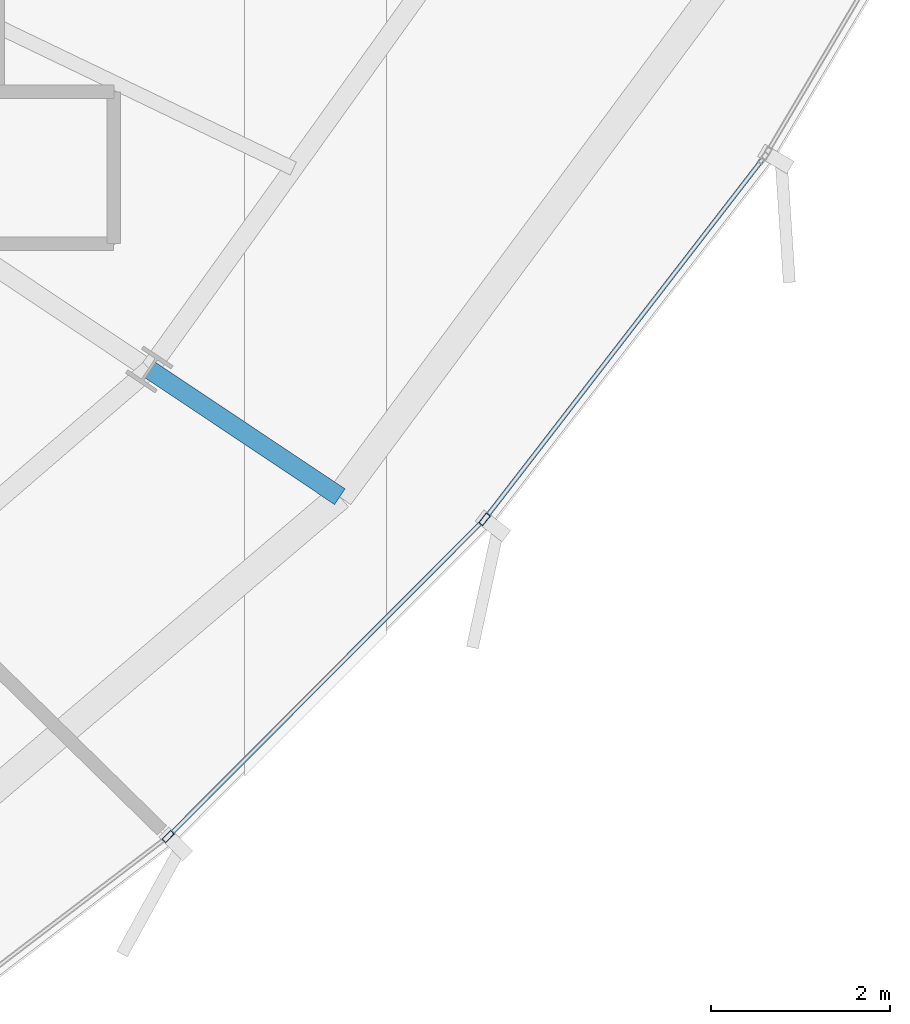
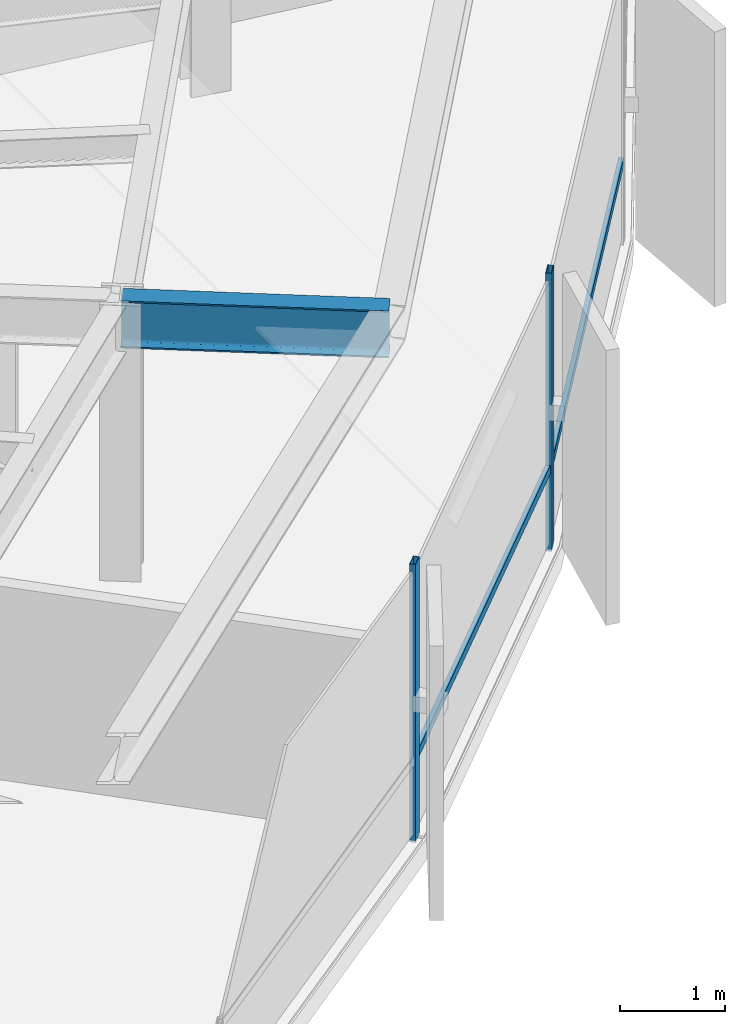
# One storey, part 15 of 35: 4 members, 1 beam, 1 element without a shape of its own.
"""IFC4 building model written with IfcOpenShell, lengths in metres."""

from ifc_helpers import new_model, si_unit, direction, frame, origin, origin_2d, place, context, subcontext, project, spatial, hollow_rectangle, i_section, extrude, source, transform, mapped, material, layer, layer_set, material_profile, profile_set, type_object, element, aggregate, save


model = new_model("IFC4")

# Units and contexts
model_context = context("Model", 3, precision=1e-05, world=origin(), true_north=direction((0.0, 1.0)))
body_context = subcontext(model_context, "Body", "Model", "MODEL_VIEW")
ifc_project = project(units=[si_unit("LENGTHUNIT", "METRE"), si_unit("AREAUNIT", "SQUARE_METRE"), si_unit("VOLUMEUNIT", "CUBIC_METRE"), si_unit("PLANEANGLEUNIT", "RADIAN"), si_unit("MASSUNIT", "GRAM", prefix="KILO"), si_unit("THERMODYNAMICTEMPERATUREUNIT", "KELVIN")], contexts=[model_context])

# Site, building, storey
site_placement = place(None, origin())
site = spatial("IfcSite", under=ifc_project, at=site_placement, CompositionType="ELEMENT")
building_placement = place(site_placement, origin())
building = spatial("IfcBuilding", under=site, at=building_placement, Name="Kethvar Cultural Tower", CompositionType="ELEMENT")
storey_placement = place(building_placement, frame((0.0, 0.0, 167.85009765625)))
storey = spatial("IfcBuildingStorey", under=building, at=storey_placement, Name="L43", CompositionType="ELEMENT", Elevation=167.85009765625)

# Beam
ifc_material_1 = material(Name="Steel S355J2", Category="steel")
ifc_material_profile_1 = material_profile(ifc_material_1, i_section(OverallWidth=0.2099609375, OverallDepth=0.550048828125, WebThickness=0.010986328125, FlangeThickness=0.01708984375, FilletRadius=0.02392578125, at=origin_2d()), Name="Steel S355J2 — IPE550")
ifc_profile_set_1 = profile_set([ifc_material_profile_1], Name="Steel S355J2 — IPE550")
beam_type = type_object("IfcBeamType", Name="BM-IPE550", PredefinedType="BEAM", material=ifc_profile_set_1)
shared_shape_1 = source(origin(), body_context, "Body", "SweptSolid", [
    extrude(i_section(OverallWidth=0.2099609375, OverallDepth=0.550048828125, WebThickness=0.010986328125, FlangeThickness=0.01708984375, FilletRadius=0.02392578125, at=origin_2d()), origin(), (0.0, 0.0, 1.0), 2.564453125),
])
beam_placement = place(storey_placement, frame((62.898681640625, 17.043212890625, 2.962890625), z_axis=(0.831434604971, -0.55562262162, 0.0), x_axis=(0.55562262162, 0.831434604971, 0.0)))
element("IfcBeam", 1, at=beam_placement, inside=storey, type_object=beam_type, Name="L43 Perimeter Cantilever Beam RC-15", PredefinedType="BEAM", context=body_context, shape_type="MappedRepresentation", body=[
    mapped(shared_shape_1, transform((0.0, 0.0, 0.0), scale=1.0)),
])

# Curtain wall, members
ifc_material_2 = material(Name="Aluminium 6063-T6", Category="aluminium")
ifc_layer = layer(ifc_material_2, 0.179931640625, Name="Aluminium 6063-T6", Category="aluminium")
ifc_layer_set = layer_set([ifc_layer], Name="Aluminium 6063-T6 (180 mm)")
curtain_wall_type = type_object("IfcCurtainWallType", Name="CW-SYS-04-Z34", PredefinedType="NOTDEFINED", material=ifc_layer_set)
curtain_wall_placement = place(storey_placement, origin())
curtain_wall = element("IfcCurtainWall", 2, at=curtain_wall_placement, inside=storey, type_object=curtain_wall_type, Name="L43 Curtain Wall Run 05", PredefinedType="NOTDEFINED")
ifc_material_profile_2 = material_profile(ifc_material_2, hollow_rectangle(XDim=0.06005859375, YDim=0.139892578125, WallThickness=0.0048828125, at=origin_2d()), Name="Aluminium 6063-T6 — RHS140x60x5")
ifc_profile_set_2 = profile_set([ifc_material_profile_2], Name="Aluminium 6063-T6 — RHS140x60x5")
member_type_1 = type_object("IfcMemberType", Name="CW-SYS-04-Z34-MUL", PredefinedType="MULLION", material=ifc_profile_set_2)
shared_shape_2 = source(origin(), body_context, "Body", "SweptSolid", [
    extrude(hollow_rectangle(XDim=0.06005859375, YDim=0.139892578125, WallThickness=0.0048828125, at=origin_2d()), origin(), (0.0, 0.0, 1.0), 3.239990234375),
])
member_1_placement = place(storey_placement, frame((63.109375, 11.8154296875, 0.0), z_axis=(0.0, 0.0, 1.0), x_axis=(-0.708204307058, 0.706007549155, 0.0)))
member_1 = element("IfcMember", 3, at=member_1_placement, type_object=member_type_1, Name="CW-L43-R05 Mullion 5", PredefinedType="MULLION", context=body_context, shape_type="MappedRepresentation", body=[
    mapped(shared_shape_2, transform((0.0, 0.0, 0.0), scale=1.0)),
])
member_2_placement = place(storey_placement, frame((66.64990234375, 15.36572265625, 0.0), z_axis=(0.0, 0.0, 1.0), x_axis=(-0.791479619394, 0.611195559608, 0.0)))
member_2 = element("IfcMember", 4, at=member_2_placement, type_object=member_type_1, Name="CW-L43-R05 Mullion 6", PredefinedType="MULLION", context=body_context, shape_type="MappedRepresentation", body=[
    mapped(shared_shape_2, transform((0.0, 0.0, 0.0), scale=1.0)),
])
ifc_material_profile_3 = material_profile(ifc_material_2, hollow_rectangle(XDim=0.050048828125, YDim=0.10009765625, WallThickness=0.00390625, at=origin_2d()), Name="Aluminium 6063-T6 — RHS100x50x4")
ifc_profile_set_3 = profile_set([ifc_material_profile_3], Name="Aluminium 6063-T6 — RHS100x50x4")
member_type_2 = type_object("IfcMemberType", Name="CW-SYS-04-Z34-TRN", PredefinedType="USERDEFINED", material=ifc_profile_set_3)
shared_shape_3 = source(origin(), body_context, "Body", "SweptSolid", [
    extrude(hollow_rectangle(XDim=0.050048828125, YDim=0.10009765625, WallThickness=0.00390625, at=origin_2d()), origin(), (0.0, 0.0, 1.0), 5.05908203125),
])
member_3_placement = place(storey_placement, frame((66.676513671875, 15.39990234375, 0.949951171875), z_axis=(0.611190632636, 0.791483424071, 0.0), x_axis=(-0.791483424071, 0.611190632636, 0.0)))
member_3 = element("IfcMember", 5, at=member_3_placement, type_object=member_type_2, Name="CW-L43-R05 Transom 6", ObjectType="TRANSOM", PredefinedType="USERDEFINED", context=body_context, shape_type="MappedRepresentation", body=[
    mapped(shared_shape_3, transform((0.0, 0.0, 0.0), scale=1.0)),
])
shared_shape_4 = source(origin(), body_context, "Body", "SweptSolid", [
    extrude(hollow_rectangle(XDim=0.050048828125, YDim=0.10009765625, WallThickness=0.00390625, at=origin_2d()), origin(), (0.0, 0.0, 1.0), 4.94140625),
])
member_4_placement = place(storey_placement, frame((63.139892578125, 11.84619140625, 0.949951171875), z_axis=(0.706019002597, 0.708192888959, 0.0), x_axis=(-0.708192888959, 0.706019002597, 0.0)))
member_4 = element("IfcMember", 6, at=member_4_placement, type_object=member_type_2, Name="CW-L43-R05 Transom 5", ObjectType="TRANSOM", PredefinedType="USERDEFINED", context=body_context, shape_type="MappedRepresentation", body=[
    mapped(shared_shape_4, transform((0.0, 0.0, 0.0), scale=1.0)),
])
aggregate(curtain_wall, [member_1, member_2, member_4, member_3])

save(model, "model.ifc")
